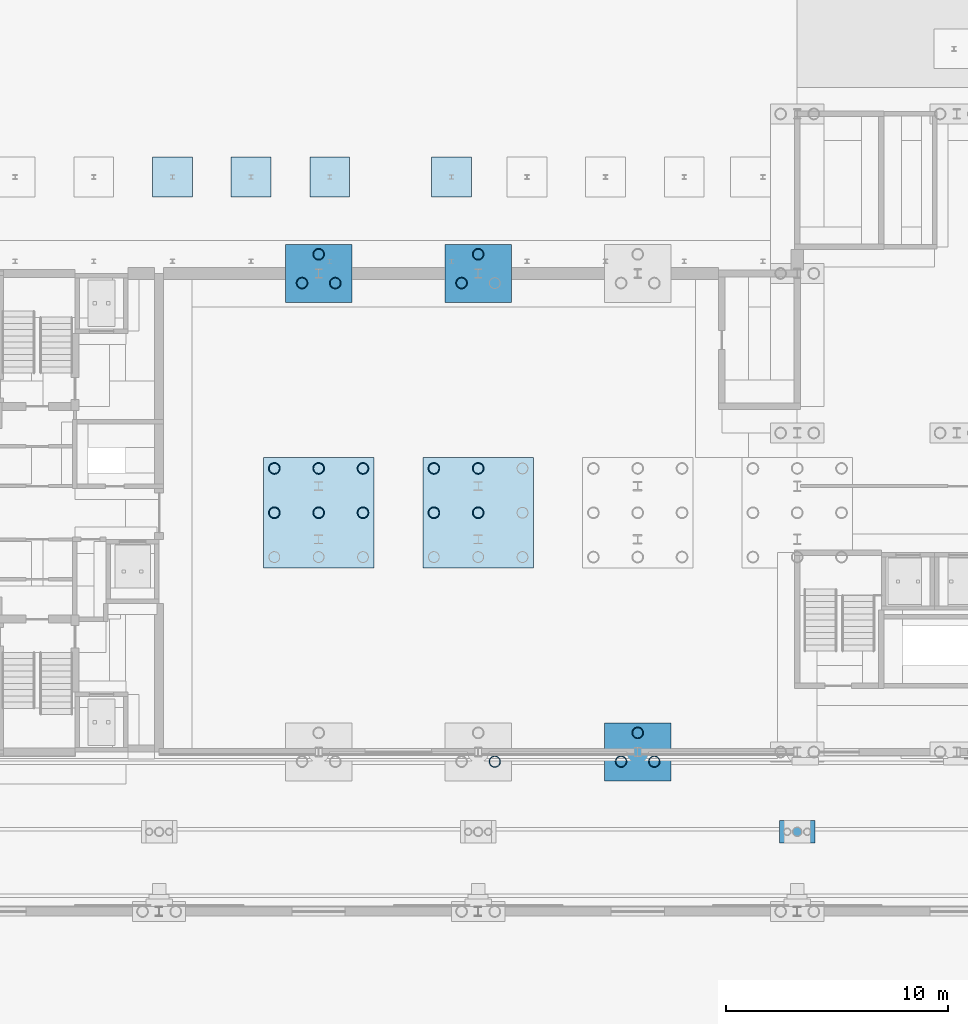
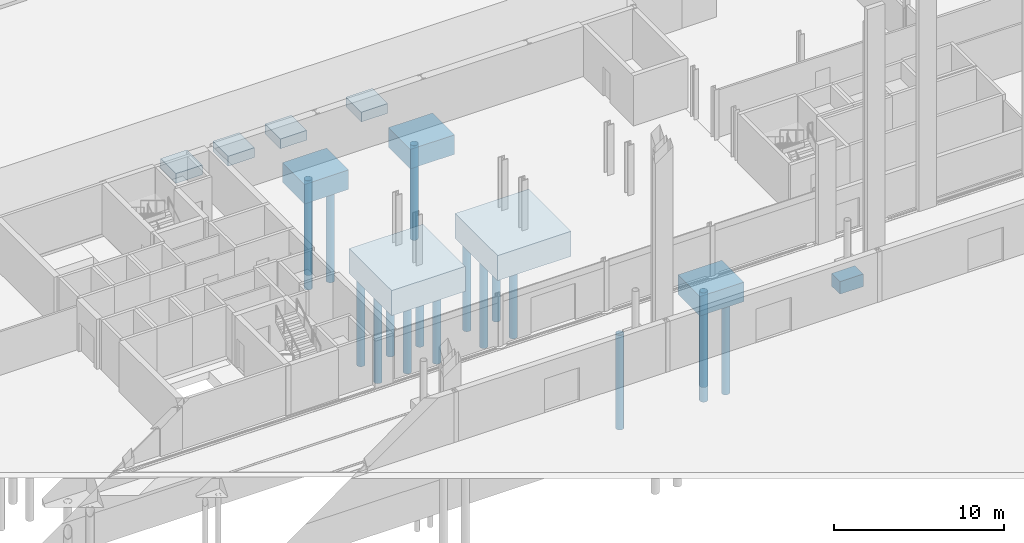
# One storey, part 27 of 148: 19 piles, 10 footings.
"""IFC4 building model written with IfcOpenShell, lengths in metres."""

from ifc_helpers import new_model, si_unit, direction, frame, origin, origin_2d, place, context, subcontext, project, spatial, rectangle, hollow_circle, extrude, material, layer, layer_set, material_profile, profile_set, type_object, element, save


model = new_model("IFC4")

# Units and contexts
model_context = context("Model", 3, precision=1e-05, world=origin(), true_north=direction((0.0, 1.0)))
body_context = subcontext(model_context, "Body", "Model", "MODEL_VIEW")
ifc_project = project(units=[si_unit("LENGTHUNIT", "METRE"), si_unit("AREAUNIT", "SQUARE_METRE"), si_unit("VOLUMEUNIT", "CUBIC_METRE"), si_unit("PLANEANGLEUNIT", "RADIAN"), si_unit("MASSUNIT", "GRAM", prefix="KILO")], contexts=[model_context])

# Site, building, storey
site_placement = place(None, origin())
site = spatial("IfcSite", under=ifc_project, at=site_placement, CompositionType="ELEMENT")
building_placement = place(site_placement, origin())
building = spatial("IfcBuilding", under=site, at=building_placement, Name="Kupolbacken Congress Centre", CompositionType="ELEMENT")
storey_placement = place(building_placement, origin())
storey = spatial("IfcBuildingStorey", under=building, at=storey_placement, Name="L00", CompositionType="ELEMENT", Elevation=0.0)

# Footings
ifc_material_1 = material(Name="Concrete C30/37", Category="concrete")
ifc_layer_1 = layer(ifc_material_1, 1.39990234375)
ifc_layer_set_1 = layer_set([ifc_layer_1], Name="Concrete C30/37")
footing_type_1 = type_object("IfcFootingType", Name="PC5 pile cap 3.00 x 2.60 x 1.40 m", PredefinedType="PILE_CAP", material=ifc_layer_set_1)
for number, where, z_axis, x_axis, name in (
    (1, (115.199951171875, 144.0, -1.699951171875), (0.0, 0.0, 1.0), (1.0, 0.0, 0.0), "S/fnd/C-T-17W/cap"),
    (2, (122.39990234375, 144.0, -1.699951171875), (0.0, 0.0, 1.0), (1.0, 0.0, 0.0), "S/fnd/C-T-18W/cap"),
    (3, (129.60009765625, 122.39990234375, -1.699951171875), (0.0, 0.0, 1.0), (1.0, 0.0, 0.0), "S/fnd/C-T-19T/cap"),
):
    element("IfcFooting", number, at=place(storey_placement, frame(where, z_axis=z_axis, x_axis=x_axis)), inside=storey, type_object=footing_type_1, Name=name, PredefinedType="PILE_CAP", context=body_context, shape_type="SweptSolid", body=[
        extrude(rectangle(XDim=3.0, YDim=2.60009765625, at=origin_2d()), origin(), (0.0, 0.0, 1.0), 1.39990234375),
    ])
ifc_material_2 = material(Name="Concrete C30/37", Category="concrete")
ifc_layer_2 = layer(ifc_material_2, 0.89990234375)
ifc_layer_set_2 = layer_set([ifc_layer_2], Name="Concrete C30/37")
footing_type_2 = type_object("IfcFootingType", Name="PC7 pile cap 1.60 x 1.00 x 0.90 m", PredefinedType="PILE_CAP", material=ifc_layer_set_2)
footing_placement = place(storey_placement, frame((136.800048828125, 118.800048828125, -1.199951171875), z_axis=(0.0, 0.0, 1.0), x_axis=(1.0, 0.0, 0.0)))
element("IfcFooting", 4, at=footing_placement, inside=storey, type_object=footing_type_2, Name="MS/M4N/fnd/cap", PredefinedType="PILE_CAP", context=body_context, shape_type="SweptSolid", body=[
    extrude(rectangle(XDim=1.60009765625, YDim=1.0, at=origin_2d()), origin(), (0.0, 0.0, 1.0), 0.89990234375),
])
ifc_material_3 = material(Name="Concrete C30/37", Category="concrete")
ifc_layer_3 = layer(ifc_material_3, 1.800048828125)
ifc_layer_set_3 = layer_set([ifc_layer_3], Name="Concrete C30/37")
footing_type_3 = type_object("IfcFootingType", Name="PC9 pile cap 5.00 x 5.00 x 1.80 m", PredefinedType="PILE_CAP", material=ifc_layer_set_3)
for number, where, z_axis, x_axis, name in (
    (5, (115.199951171875, 133.199951171875, -2.10009765625), (0.0, 0.0, 1.0), (1.0, 0.0, 0.0), "S/fnd/T-pair/115.2/cap"),
    (6, (122.39990234375, 133.199951171875, -2.10009765625), (0.0, 0.0, 1.0), (1.0, 0.0, 0.0), "S/fnd/T-pair/122.4/cap"),
):
    element("IfcFooting", number, at=place(storey_placement, frame(where, z_axis=z_axis, x_axis=x_axis)), inside=storey, type_object=footing_type_3, Name=name, PredefinedType="PILE_CAP", context=body_context, shape_type="SweptSolid", body=[
        extrude(rectangle(XDim=5.0, YDim=5.0, at=origin_2d()), origin(), (0.0, 0.0, 1.0), 1.800048828125),
    ])
ifc_material_4 = material(Name="Concrete C30/37", Category="concrete")
ifc_layer_4 = layer(ifc_material_4, 0.699951171875)
ifc_layer_set_4 = layer_set([ifc_layer_4], Name="Concrete C30/37")
footing_type_4 = type_object("IfcFootingType", Name="PD4 pad footing 1.80 x 1.80 x 0.70 m", PredefinedType="PAD_FOOTING", material=ifc_layer_set_4)
for number, where, z_axis, x_axis, name in (
    (7, (108.60009765625, 148.35009765625, -1.0), (0.0, 0.0, 1.0), (1.0, 0.0, 0.0), "C/passage/A/padN04"),
    (8, (112.14990234375, 148.35009765625, -1.0), (0.0, 0.0, 1.0), (1.0, 0.0, 0.0), "C/passage/A/padN05"),
    (9, (115.699951171875, 148.35009765625, -1.0), (0.0, 0.0, 1.0), (1.0, 0.0, 0.0), "C/passage/A/padN06"),
    (10, (121.199951171875, 148.35009765625, -1.0), (0.0, 0.0, 1.0), (1.0, 0.0, 0.0), "C/passage/A/padN07"),
):
    element("IfcFooting", number, at=place(storey_placement, frame(where, z_axis=z_axis, x_axis=x_axis)), inside=storey, type_object=footing_type_4, Name=name, PredefinedType="PAD_FOOTING", context=body_context, shape_type="SweptSolid", body=[
        extrude(rectangle(XDim=1.800048828125, YDim=1.800048828125, at=origin_2d()), origin(), (0.0, 0.0, 1.0), 0.699951171875),
    ])

# Piles
ifc_material_5 = material(Name="Steel S355", Category="steel")
ifc_material_profile = material_profile(ifc_material_5, hollow_circle(Radius=0.25390625, WallThickness=0.02001953125, at=origin_2d()), Name="CHS 508 x 20")
ifc_profile_set = profile_set([ifc_material_profile], Name="Steel S355")
pile_type = type_object("IfcPileType", Name="PL3 steel tube pile CHS 508 x 20", PredefinedType="BORED", material=ifc_profile_set)
for number, where, z_axis, x_axis, name in (
    (11, (113.199951171875, 133.199951171875, -2.10009765625), (0.0, 0.0, -1.0), (1.0, 0.0, 0.0), "S/fnd/T-pair/115.2/pile2"),
    (12, (113.199951171875, 135.199951171875, -2.10009765625), (0.0, 0.0, -1.0), (1.0, 0.0, 0.0), "S/fnd/T-pair/115.2/pile3"),
    (13, (115.199951171875, 133.199951171875, -2.10009765625), (0.0, 0.0, -1.0), (1.0, 0.0, 0.0), "S/fnd/T-pair/115.2/pile5"),
    (14, (115.199951171875, 135.199951171875, -2.10009765625), (0.0, 0.0, -1.0), (1.0, 0.0, 0.0), "S/fnd/T-pair/115.2/pile6"),
    (15, (117.199951171875, 133.199951171875, -2.10009765625), (0.0, 0.0, -1.0), (1.0, 0.0, 0.0), "S/fnd/T-pair/115.2/pile8"),
    (16, (117.199951171875, 135.199951171875, -2.10009765625), (0.0, 0.0, -1.0), (1.0, 0.0, 0.0), "S/fnd/T-pair/115.2/pile9"),
):
    element("IfcPile", number, at=place(storey_placement, frame(where, z_axis=z_axis, x_axis=x_axis)), inside=storey, type_object=pile_type, Name=name, PredefinedType="BORED", context=body_context, shape_type="SweptSolid", body=[
        extrude(hollow_circle(Radius=0.25390625, WallThickness=0.02001953125, at=origin_2d()), origin(), (0.0, 0.0, 1.0), 6.39990234375),
    ])
for number, where, z_axis, x_axis, name in (
    (17, (114.449951171875, 143.56640625, -1.699951171875), (0.0, 0.0, -1.0), (1.0, 0.0, 0.0), "S/fnd/C-T-17W/pile1"),
    (18, (115.949951171875, 143.56640625, -1.699951171875), (0.0, 0.0, -1.0), (1.0, 0.0, 0.0), "S/fnd/C-T-17W/pile2"),
    (19, (115.199951171875, 144.865478515625, -1.699951171875), (0.0, 0.0, -1.0), (1.0, 0.0, 0.0), "S/fnd/C-T-17W/pile3"),
    (20, (123.14990234375, 121.966552734375, -1.699951171875), (0.0, 0.0, -1.0), (1.0, 0.0, 0.0), "S/fnd/C-T-18T/pile2"),
):
    element("IfcPile", number, at=place(storey_placement, frame(where, z_axis=z_axis, x_axis=x_axis)), inside=storey, type_object=pile_type, Name=name, PredefinedType="BORED", context=body_context, shape_type="SweptSolid", body=[
        extrude(hollow_circle(Radius=0.25390625, WallThickness=0.02001953125, at=origin_2d()), origin(), (0.0, 0.0, 1.0), 6.800048828125),
    ])
for number, where, z_axis, x_axis, name in (
    (21, (120.39990234375, 133.199951171875, -2.10009765625), (0.0, 0.0, -1.0), (1.0, 0.0, 0.0), "S/fnd/T-pair/122.4/pile2"),
    (22, (120.39990234375, 135.199951171875, -2.10009765625), (0.0, 0.0, -1.0), (1.0, 0.0, 0.0), "S/fnd/T-pair/122.4/pile3"),
    (23, (122.39990234375, 133.199951171875, -2.10009765625), (0.0, 0.0, -1.0), (1.0, 0.0, 0.0), "S/fnd/T-pair/122.4/pile5"),
    (24, (122.39990234375, 135.199951171875, -2.10009765625), (0.0, 0.0, -1.0), (1.0, 0.0, 0.0), "S/fnd/T-pair/122.4/pile6"),
):
    element("IfcPile", number, at=place(storey_placement, frame(where, z_axis=z_axis, x_axis=x_axis)), inside=storey, type_object=pile_type, Name=name, PredefinedType="BORED", context=body_context, shape_type="SweptSolid", body=[
        extrude(hollow_circle(Radius=0.25390625, WallThickness=0.02001953125, at=origin_2d()), origin(), (0.0, 0.0, 1.0), 6.39990234375),
    ])
for number, where, z_axis, x_axis, name in (
    (25, (121.64990234375, 143.56640625, -1.699951171875), (0.0, 0.0, -1.0), (1.0, 0.0, 0.0), "S/fnd/C-T-18W/pile1"),
    (26, (122.39990234375, 144.865478515625, -1.699951171875), (0.0, 0.0, -1.0), (1.0, 0.0, 0.0), "S/fnd/C-T-18W/pile3"),
    (27, (128.85009765625, 121.966552734375, -1.699951171875), (0.0, 0.0, -1.0), (1.0, 0.0, 0.0), "S/fnd/C-T-19T/pile1"),
    (28, (130.35009765625, 121.966552734375, -1.699951171875), (0.0, 0.0, -1.0), (1.0, 0.0, 0.0), "S/fnd/C-T-19T/pile2"),
    (29, (129.60009765625, 123.265380859375, -1.699951171875), (0.0, 0.0, -1.0), (1.0, 0.0, 0.0), "S/fnd/C-T-19T/pile3"),
):
    element("IfcPile", number, at=place(storey_placement, frame(where, z_axis=z_axis, x_axis=x_axis)), inside=storey, type_object=pile_type, Name=name, PredefinedType="BORED", context=body_context, shape_type="SweptSolid", body=[
        extrude(hollow_circle(Radius=0.25390625, WallThickness=0.02001953125, at=origin_2d()), origin(), (0.0, 0.0, 1.0), 6.800048828125),
    ])

save(model, "model.ifc")
